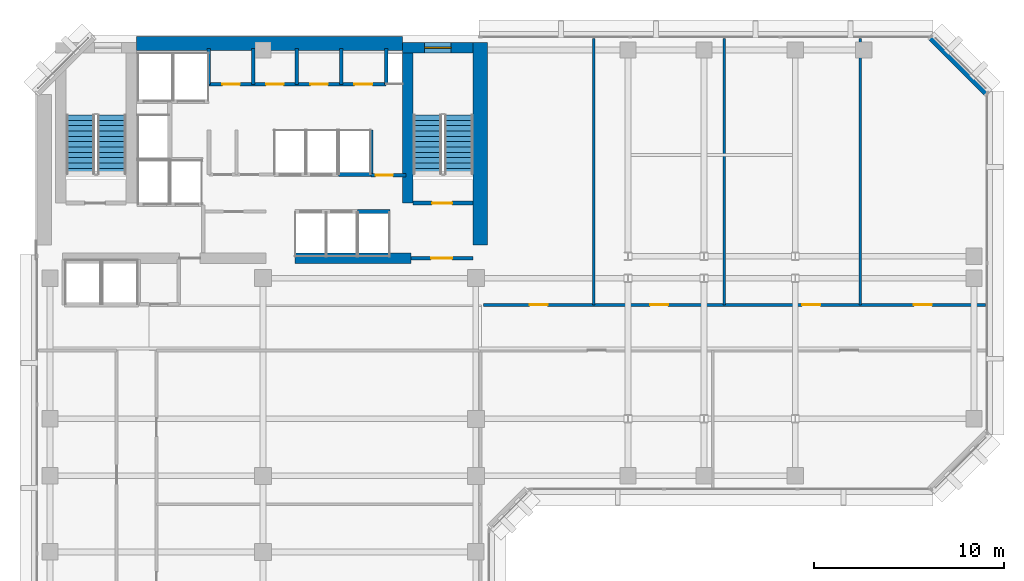
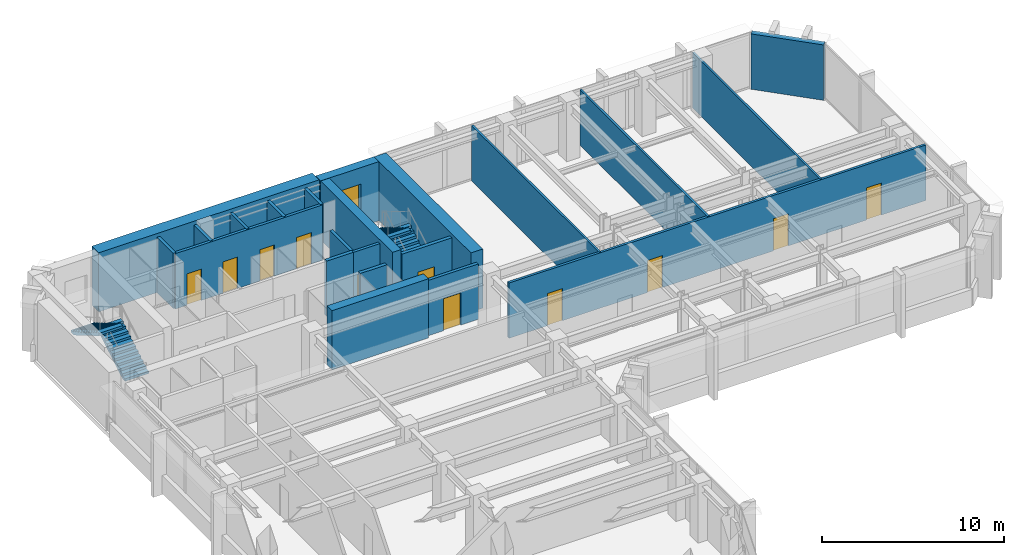
# One storey, part 8 of 11: 22 walls, 11 doors, 4 stair flights, 1 window, 12 openings, 2 elements without a shape of their own.
"""IFC4 building model written with IfcOpenShell, lengths in metres."""

from ifc_helpers import new_model, si_unit, direction, frame, frame_2d, origin, place, context, subcontext, project, spatial, polyline, rectangle, outline, extrude, material, layer, layer_set, type_object, element, fill, aggregate, save


model = new_model("IFC4")

# Units and contexts
model_context = context("Model", 3, precision=1e-05, world=origin(), true_north=direction((0.0, 1.0)))
body_context = subcontext(model_context, "Body", "Model", "MODEL_VIEW")
ifc_project = project(units=[si_unit("LENGTHUNIT", "METRE"), si_unit("AREAUNIT", "SQUARE_METRE"), si_unit("VOLUMEUNIT", "CUBIC_METRE"), si_unit("PLANEANGLEUNIT", "RADIAN"), si_unit("MASSUNIT", "GRAM", prefix="KILO")], contexts=[model_context])

# Site, building, storey
site_placement = place(None, origin())
site = spatial("IfcSite", under=ifc_project, at=site_placement, CompositionType="ELEMENT")
building_placement = place(site_placement, origin())
building = spatial("IfcBuilding", under=site, at=building_placement, Name="Kefirva Bronze Tower", CompositionType="ELEMENT")
storey_placement = place(building_placement, frame((0.0, 0.0, 134.969970703125)))
storey = spatial("IfcBuildingStorey", under=building, at=storey_placement, Name="L32", CompositionType="ELEMENT", Elevation=134.969970703125)

# Walls
ifc_material_1 = material(Name="Gypsum acoustic partition")
ifc_layer_1 = layer(ifc_material_1, 0.1298828125, Name="Gypsum acoustic partition")
ifc_layer_set_1 = layer_set([ifc_layer_1], Name="Gypsum acoustic partition")
wall_type_1 = type_object("IfcWallType", Name="Acoustic Office Partition 130mm", PredefinedType="PARTITIONING", material=ifc_layer_set_1)
for number, where, z_axis, x_axis, name in (
    (1, (29.41015625, 31.800048828125, 0.0), (0.0, 0.0, 1.0), (0.0, 1.0, 0.0), "L32 Partition W-L32-END1"),
    (2, (36.27685546875, 31.800048828125, 0.0), (0.0, 0.0, 1.0), (0.0, 1.0, 0.0), "L32 Partition W-L32-END2"),
    (3, (43.407470703125, 31.800048828125, 0.0), (0.0, 0.0, 1.0), (0.0, 1.0, 0.0), "L32 Partition W-L32-END3"),
):
    element("IfcWall", number, at=place(storey_placement, frame(where, z_axis=z_axis, x_axis=x_axis)), inside=storey, type_object=wall_type_1, Name=name, PredefinedType="PARTITIONING", context=body_context, shape_type="SweptSolid", body=[
        extrude(rectangle(XDim=14.010009765625, YDim=0.1298828125, at=frame_2d((7.0048828125, 0.0))), origin(), (0.0, 0.0, 1.0), 3.7099609375),
    ])

# Wall, opening, door
ifc_material_2 = material(Name="Gypsum fireboard shaftwall")
ifc_layer_2 = layer(ifc_material_2, 0.219970703125, Name="Gypsum fireboard shaftwall")
ifc_layer_set_2 = layer_set([ifc_layer_2], Name="Gypsum fireboard shaftwall")
wall_type_2 = type_object("IfcWallType", Name="Fire-Rated Shaft Enclosure Wall 220mm", PredefinedType="PARTITIONING", material=ifc_layer_set_2)
wall_1_placement = place(storey_placement, frame((19.89990234375, 37.14990234375, 0.0), z_axis=(0.0, 0.0, 1.0), x_axis=(1.0, 0.0, 0.0)))
wall_1 = element("IfcWall", 4, at=wall_1_placement, inside=storey, type_object=wall_type_2, Name="L32 Partition W-L32-ST2S", PredefinedType="PARTITIONING", context=body_context, shape_type="SweptSolid", body=[
    extrude(rectangle(XDim=3.150146484375, YDim=0.219970703125, at=frame_2d((1.5751953125, 0.0))), origin(), (0.0, 0.0, 1.0), 3.7099609375),
])
opening_1_placement = place(wall_1_placement, frame((2.050048828125, 0.0, 0.0), z_axis=(0.0, 0.0, 1.0), x_axis=(-1.0, 0.0, 0.0)))
opening_1 = element("IfcOpeningElement", 5, at=opening_1_placement, cuts=wall_1, Name="Opening L32-D003", PredefinedType="OPENING", context=body_context, shape_type="SweptSolid", body=[
    extrude(rectangle(XDim=1.050048828125, YDim=2.14990234375, at=frame_2d((0.52490234375, 1.074951171875))), frame((0.0, 0.1201171875, 0.0), z_axis=(0.0, -1.0, 0.0), x_axis=(1.0, 0.0, 0.0)), (0.0, 0.0, 1.0), 0.239990234375),
])
ifc_material_3 = material(Name="Painted galvanized steel", Category="steel")
door_type_1 = type_object("IfcDoorType", Name="Fire Stair Enclosure Door 1050x2150 FD90S", OperationType="NOTDEFINED", PredefinedType="DOOR", material=ifc_material_3)
door_1_placement = place(opening_1_placement, origin())
door_1 = element("IfcDoor", 6, at=door_1_placement, inside=storey, type_object=door_type_1, Name="Door L32-D003", OperationType="SINGLE_SWING_RIGHT", OverallHeight=2.14990234375, OverallWidth=1.050048828125, PredefinedType="DOOR", context=body_context, shape_type="SweptSolid", body=[
    extrude(rectangle(XDim=1.050048828125, YDim=2.14990234375, at=frame_2d((0.52490234375, 1.074951171875))), frame((0.0, 0.02490234375, 0.0), z_axis=(0.0, -1.0, 0.0), x_axis=(1.0, 0.0, 0.0)), (0.0, 0.0, 1.0), 0.050048828125),
])
fill(opening_1, door_1)

# Walls
wall_2_placement = place(storey_placement, frame((17.679931640625, 38.64990234375, 0.0), z_axis=(0.0, 0.0, 1.0), x_axis=(0.0, 1.0, 0.0)))
element("IfcWall", 7, at=wall_2_placement, inside=storey, type_object=wall_type_2, Name="L32 Partition W-L32-HP2E", PredefinedType="PARTITIONING", context=body_context, shape_type="SweptSolid", body=[
    extrude(rectangle(XDim=2.35009765625, YDim=0.199951171875, at=frame_2d((1.175048828125, 0.0))), origin(), (0.0, 0.0, 1.0), 3.7099609375),
])
wall_3_placement = place(storey_placement, frame((16.97998046875, 36.699951171875, 0.0), z_axis=(0.0, 0.0, 1.0), x_axis=(1.0, 0.0, 0.0)))
element("IfcWall", 8, at=wall_3_placement, inside=storey, type_object=wall_type_2, Name="L32 Partition W-L32-HPS", PredefinedType="PARTITIONING", context=body_context, shape_type="SweptSolid", body=[
    extrude(rectangle(XDim=1.699951171875, YDim=0.219970703125, at=frame_2d((0.85009765625, 0.0))), origin(), (0.0, 0.0, 1.0), 3.7099609375),
])
wall_4_placement = place(storey_placement, frame((15.97998046875, 38.64990234375, 0.0), z_axis=(0.0, 0.0, 1.0), x_axis=(1.0, 0.0, 0.0)))
element("IfcWall", 9, at=wall_4_placement, inside=storey, type_object=wall_type_2, Name="L32 Partition W-L32-HPN", PredefinedType="PARTITIONING", context=body_context, shape_type="SweptSolid", body=[
    extrude(rectangle(XDim=1.719970703125, YDim=0.219970703125, at=frame_2d((0.85986328125, 0.0))), origin(), (0.0, 0.0, 1.0), 3.7099609375),
])

# Wall, opening, door
ifc_material_4 = material(Name="Gypsum fireboard barrier")
ifc_layer_3 = layer(ifc_material_4, 0.199951171875, Name="Gypsum fireboard barrier")
ifc_layer_set_3 = layer_set([ifc_layer_3], Name="Gypsum fireboard barrier")
wall_type_3 = type_object("IfcWallType", Name="Firefighting Lobby Barrier Wall 200mm", PredefinedType="PARTITIONING", material=ifc_layer_set_3)
wall_5_placement = place(storey_placement, frame((19.800048828125, 34.25, 0.0), z_axis=(0.0, 0.0, 1.0), x_axis=(1.0, 0.0, 0.0)))
wall_5 = element("IfcWall", 10, at=wall_5_placement, inside=storey, type_object=wall_type_3, Name="L32 Partition W-L32-ST2F", PredefinedType="PARTITIONING", context=body_context, shape_type="SweptSolid", body=[
    extrude(rectangle(XDim=3.25, YDim=0.199951171875, at=frame_2d((1.625, 0.0))), origin(), (0.0, 0.0, 1.0), 3.7099609375),
])
opening_2_placement = place(wall_5_placement, frame((2.150146484375, 0.0, 0.0), z_axis=(0.0, 0.0, 1.0), x_axis=(-1.0, 0.0, 0.0)))
opening_2 = element("IfcOpeningElement", 11, at=opening_2_placement, cuts=wall_5, Name="Opening L32-D004", PredefinedType="OPENING", context=body_context, shape_type="SweptSolid", body=[
    extrude(rectangle(XDim=1.10009765625, YDim=2.14990234375, at=frame_2d((0.550048828125, 1.074951171875))), frame((0.0, 0.10986328125, 0.0), z_axis=(0.0, -1.0, 0.0), x_axis=(1.0, 0.0, 0.0)), (0.0, 0.0, 1.0), 0.219970703125),
])
door_type_2 = type_object("IfcDoorType", Name="Firefighting Lobby Smoke Door 1100x2150 FD60S", OperationType="NOTDEFINED", PredefinedType="DOOR", material=ifc_material_3)
door_2_placement = place(opening_2_placement, origin())
door_2 = element("IfcDoor", 12, at=door_2_placement, inside=storey, type_object=door_type_2, Name="Door L32-D004", OperationType="SINGLE_SWING_LEFT", OverallHeight=2.14990234375, OverallWidth=1.10009765625, PredefinedType="DOOR", context=body_context, shape_type="SweptSolid", body=[
    extrude(rectangle(XDim=1.10009765625, YDim=2.14990234375, at=frame_2d((0.550048828125, 1.074951171875))), frame((0.0, 0.02490234375, 0.0), z_axis=(0.0, -1.0, 0.0), x_axis=(1.0, 0.0, 0.0)), (0.0, 0.0, 1.0), 0.050048828125),
])
fill(opening_2, door_2)

wall_6_placement = place(storey_placement, frame((17.679931640625, 38.6201171875, 0.0), z_axis=(0.0, 0.0, 1.0), x_axis=(1.0, 0.0, 0.0)))
wall_6 = element("IfcWall", 13, at=wall_6_placement, inside=storey, type_object=wall_type_3, Name="L32 Partition W-L32-CPASS", PredefinedType="PARTITIONING", context=body_context, shape_type="SweptSolid", body=[
    extrude(rectangle(XDim=1.840087890625, YDim=0.179931640625, at=frame_2d((0.919921875, 0.0))), origin(), (0.0, 0.0, 1.0), 3.7099609375),
])
opening_3_placement = place(wall_6_placement, frame((0.239990234375, 0.0, 0.0)))
opening_3 = element("IfcOpeningElement", 14, at=opening_3_placement, cuts=wall_6, Name="Opening L32-D-CPAS", PredefinedType="OPENING", context=body_context, shape_type="SweptSolid", body=[
    extrude(rectangle(XDim=0.919921875, YDim=2.10009765625, at=frame_2d((0.4599609375, 1.050048828125))), frame((0.0, 0.10009765625, 0.0), z_axis=(0.0, -1.0, 0.0), x_axis=(1.0, 0.0, 0.0)), (0.0, 0.0, 1.0), 0.199951171875),
])
ifc_material_5 = material(Name="Moisture-resistant timber", Category="wood")
door_type_3 = type_object("IfcDoorType", Name="Accessible Sanitary & WC Door 920x2100", OperationType="NOTDEFINED", PredefinedType="DOOR", material=ifc_material_5)
door_3_placement = place(opening_3_placement, origin())
door_3 = element("IfcDoor", 15, at=door_3_placement, inside=storey, type_object=door_type_3, Name="Door L32-D-CPAS", OperationType="SINGLE_SWING_RIGHT", OverallHeight=2.10009765625, OverallWidth=0.919921875, PredefinedType="DOOR", context=body_context, shape_type="SweptSolid", body=[
    extrude(rectangle(XDim=0.919921875, YDim=2.10009765625, at=frame_2d((0.4599609375, 1.050048828125))), frame((0.0, 0.02490234375, 0.0), z_axis=(0.0, -1.0, 0.0), x_axis=(1.0, 0.0, 0.0)), (0.0, 0.0, 1.0), 0.050048828125),
])
fill(opening_3, door_3)

# Wall
ifc_material_6 = material(Name="Precast concrete C40/50", Category="concrete")
ifc_layer_4 = layer(ifc_material_6, 0.320068359375, Name="Precast concrete C40/50")
ifc_layer_set_4 = layer_set([ifc_layer_4], Name="Precast concrete C40/50")
wall_type_4 = type_object("IfcWallType", Name="Precast Insulated Exterior Wall 320mm", PredefinedType="SOLIDWALL", material=ifc_layer_set_4)
wall_7_placement = place(storey_placement, frame((50.048095703125, 42.92578125, 0.0), z_axis=(0.0, 0.0, 1.0), x_axis=(-0.707136318428, 0.707077242712, 0.0)))
element("IfcWall", 16, at=wall_7_placement, inside=storey, type_object=wall_type_4, Name="L32 Exterior Facade Wall 4", PredefinedType="SOLIDWALL", context=body_context, shape_type="SweptSolid", body=[
    extrude(rectangle(XDim=4.132568359375, YDim=0.320068359375, at=frame_2d((2.06640625, 0.0))), origin(), (0.0, 0.0, 1.0), 3.7099609375),
])

# Wall, openings, doors
ifc_layer_5 = layer(ifc_material_1, 0.159912109375, Name="Gypsum acoustic partition")
ifc_layer_set_5 = layer_set([ifc_layer_5], Name="Gypsum acoustic partition")
wall_type_5 = type_object("IfcWallType", Name="Protected Corridor Partition 160mm", PredefinedType="PARTITIONING", material=ifc_layer_set_5)
wall_8_placement = place(storey_placement, frame((23.60009765625, 31.800048828125, 0.0), z_axis=(0.0, 0.0, 1.0), x_axis=(1.0, 0.0, 0.0)))
wall_8 = element("IfcWall", 17, at=wall_8_placement, inside=storey, type_object=wall_type_5, Name="L32 Partition W-L32-EWN", PredefinedType="PARTITIONING", context=body_context, shape_type="SweptSolid", body=[
    extrude(rectangle(XDim=26.409912109375, YDim=0.159912109375, at=frame_2d((13.205078125, 0.0))), origin(), (0.0, 0.0, 1.0), 3.7099609375),
])
opening_4_placement = place(wall_8_placement, frame((2.43017578125, 0.0, 0.0)))
opening_4 = element("IfcOpeningElement", 18, at=opening_4_placement, cuts=wall_8, Name="Opening L32-D-EN1", PredefinedType="OPENING", context=body_context, shape_type="SweptSolid", body=[
    extrude(rectangle(XDim=0.949951171875, YDim=2.14990234375, at=frame_2d((0.47509765625, 1.074951171875))), frame((0.0, 0.08984375, 0.0), z_axis=(0.0, -1.0, 0.0), x_axis=(1.0, 0.0, 0.0)), (0.0, 0.0, 1.0), 0.179931640625),
])
opening_5_placement = place(wall_8_placement, frame((8.7685546875, 0.0, 0.0)))
opening_5 = element("IfcOpeningElement", 19, at=opening_5_placement, cuts=wall_8, Name="Opening L32-D-EN2", PredefinedType="OPENING", context=body_context, shape_type="SweptSolid", body=[
    extrude(rectangle(XDim=0.949951171875, YDim=2.14990234375, at=frame_2d((0.47509765625, 1.074951171875))), frame((0.0, 0.08984375, 0.0), z_axis=(0.0, -1.0, 0.0), x_axis=(1.0, 0.0, 0.0)), (0.0, 0.0, 1.0), 0.179931640625),
])
opening_6_placement = place(wall_8_placement, frame((16.76708984375, 0.0, 0.0)))
opening_6 = element("IfcOpeningElement", 20, at=opening_6_placement, cuts=wall_8, Name="Opening L32-D-EN3", PredefinedType="OPENING", context=body_context, shape_type="SweptSolid", body=[
    extrude(rectangle(XDim=0.949951171875, YDim=2.14990234375, at=frame_2d((0.47509765625, 1.074951171875))), frame((0.0, 0.08984375, 0.0), z_axis=(0.0, -1.0, 0.0), x_axis=(1.0, 0.0, 0.0)), (0.0, 0.0, 1.0), 0.179931640625),
])
opening_7_placement = place(wall_8_placement, frame((22.6337890625, 0.0, 0.0)))
opening_7 = element("IfcOpeningElement", 21, at=opening_7_placement, cuts=wall_8, Name="Opening L32-D-EN4", PredefinedType="OPENING", context=body_context, shape_type="SweptSolid", body=[
    extrude(rectangle(XDim=0.949951171875, YDim=2.14990234375, at=frame_2d((0.47509765625, 1.074951171875))), frame((0.0, 0.08984375, 0.0), z_axis=(0.0, -1.0, 0.0), x_axis=(1.0, 0.0, 0.0)), (0.0, 0.0, 1.0), 0.179931640625),
])
ifc_material_7 = material(Name="Acoustic hardwood oak", Category="wood")
door_type_4 = type_object("IfcDoorType", Name="Office & Meeting Room Door 950x2150", OperationType="NOTDEFINED", PredefinedType="DOOR", material=ifc_material_7)
door_4_placement = place(opening_4_placement, origin())
door_4 = element("IfcDoor", 22, at=door_4_placement, inside=storey, type_object=door_type_4, Name="Door L32-D-EN1", OperationType="SINGLE_SWING_LEFT", OverallHeight=2.14990234375, OverallWidth=0.949951171875, PredefinedType="DOOR", context=body_context, shape_type="SweptSolid", body=[
    extrude(rectangle(XDim=0.949951171875, YDim=2.14990234375, at=frame_2d((0.47509765625, 1.074951171875))), frame((0.0, 0.02490234375, 0.0), z_axis=(0.0, -1.0, 0.0), x_axis=(1.0, 0.0, 0.0)), (0.0, 0.0, 1.0), 0.050048828125),
])
fill(opening_4, door_4)
door_5_placement = place(opening_5_placement, origin())
door_5 = element("IfcDoor", 23, at=door_5_placement, inside=storey, type_object=door_type_4, Name="Door L32-D-EN2", OperationType="SINGLE_SWING_RIGHT", OverallHeight=2.14990234375, OverallWidth=0.949951171875, PredefinedType="DOOR", context=body_context, shape_type="SweptSolid", body=[
    extrude(rectangle(XDim=0.949951171875, YDim=2.14990234375, at=frame_2d((0.47509765625, 1.074951171875))), frame((0.0, 0.02490234375, 0.0), z_axis=(0.0, -1.0, 0.0), x_axis=(1.0, 0.0, 0.0)), (0.0, 0.0, 1.0), 0.050048828125),
])
fill(opening_5, door_5)
door_6_placement = place(opening_6_placement, origin())
door_6 = element("IfcDoor", 24, at=door_6_placement, inside=storey, type_object=door_type_4, Name="Door L32-D-EN3", OperationType="SINGLE_SWING_LEFT", OverallHeight=2.14990234375, OverallWidth=0.949951171875, PredefinedType="DOOR", context=body_context, shape_type="SweptSolid", body=[
    extrude(rectangle(XDim=0.949951171875, YDim=2.14990234375, at=frame_2d((0.47509765625, 1.074951171875))), frame((0.0, 0.02490234375, 0.0), z_axis=(0.0, -1.0, 0.0), x_axis=(1.0, 0.0, 0.0)), (0.0, 0.0, 1.0), 0.050048828125),
])
fill(opening_6, door_6)
door_7_placement = place(opening_7_placement, origin())
door_7 = element("IfcDoor", 25, at=door_7_placement, inside=storey, type_object=door_type_4, Name="Door L32-D-EN4", OperationType="SINGLE_SWING_RIGHT", OverallHeight=2.14990234375, OverallWidth=0.949951171875, PredefinedType="DOOR", context=body_context, shape_type="SweptSolid", body=[
    extrude(rectangle(XDim=0.949951171875, YDim=2.14990234375, at=frame_2d((0.47509765625, 1.074951171875))), frame((0.0, 0.02490234375, 0.0), z_axis=(0.0, -1.0, 0.0), x_axis=(1.0, 0.0, 0.0)), (0.0, 0.0, 1.0), 0.050048828125),
])
fill(opening_7, door_7)

# Wall, opening, window
ifc_material_8 = material(Name="Concrete C50/60", Category="concrete")
ifc_layer_6 = layer(ifc_material_8, 0.550048828125, Name="Concrete C50/60")
ifc_layer_set_6 = layer_set([ifc_layer_6], Name="Concrete C50/60")
wall_type_6 = type_object("IfcWallType", Name="RC Rear Core Exterior Wall 550mm", PredefinedType="SHEAR", material=ifc_layer_set_6)
wall_9_placement = place(storey_placement, frame((19.35009765625, 45.320068359375, 0.0), z_axis=(0.0, 0.0, 1.0), x_axis=(1.0, 0.0, 0.0)))
wall_9 = element("IfcWall", 26, at=wall_9_placement, inside=storey, type_object=wall_type_6, Name="L32 Stair 2 North Shear Wall", PredefinedType="SHEAR", context=body_context, shape_type="SweptSolid", body=[
    extrude(rectangle(XDim=3.68994140625, YDim=0.550048828125, at=frame_2d((1.844970703125, 0.0))), origin(), (0.0, 0.0, 1.0), 3.9599609375),
])
opening_8_placement = place(wall_9_placement, frame((1.14990234375, 0.0, 1.050048828125)))
opening_8 = element("IfcOpeningElement", 27, at=opening_8_placement, cuts=wall_9, Name="Opening WN-03", PredefinedType="OPENING", context=body_context, shape_type="SweptSolid", body=[
    extrude(rectangle(XDim=1.39990234375, YDim=1.800048828125, at=frame_2d((0.699951171875, 0.89990234375))), frame((0.0, 0.28515625, 0.0), z_axis=(0.0, -1.0, 0.0), x_axis=(1.0, 0.0, 0.0)), (0.0, 0.0, 1.0), 0.570068359375),
])
ifc_material_9 = material(Name="Laminated low-E double glazing", Category="glass")
window_type = type_object("IfcWindowType", Name="Rear-Core Stair Daylight Window 1400x1800", PartitioningType="SINGLE_PANEL", PredefinedType="WINDOW", material=ifc_material_9)
window_placement = place(opening_8_placement, origin())
window = element("IfcWindow", 28, at=window_placement, inside=storey, type_object=window_type, Name="L32 Stair 2 Daylight Window", OverallHeight=1.800048828125, OverallWidth=1.39990234375, PartitioningType="SINGLE_PANEL", PredefinedType="WINDOW", context=body_context, shape_type="SweptSolid", body=[
    extrude(rectangle(XDim=1.39990234375, YDim=1.800048828125, at=frame_2d((0.699951171875, 0.89990234375))), frame((0.0, 0.030029296875, 0.0), z_axis=(0.0, -1.0, 0.0), x_axis=(1.0, 0.0, 0.0)), (0.0, 0.0, 1.0), 0.06005859375),
])
fill(opening_8, window)

# Walls
ifc_material_10 = material(Name="Concrete C60/75", Category="concrete")
ifc_layer_7 = layer(ifc_material_10, 0.75, Name="Concrete C60/75")
ifc_layer_set_7 = layer_set([ifc_layer_7], Name="Concrete C60/75")
wall_type_7 = type_object("IfcWallType", Name="RC Rear Core Exterior Wall 750mm", PredefinedType="SHEAR", material=ifc_layer_set_7)
wall_10_placement = place(storey_placement, frame((5.360107421875, 45.550048828125, 0.0), z_axis=(0.0, 0.0, 1.0), x_axis=(1.0, 0.0, 0.0)))
element("IfcWall", 29, at=wall_10_placement, inside=storey, type_object=wall_type_7, Name="L32 Rear Core North Shear Wall", PredefinedType="SHEAR", context=body_context, shape_type="SweptSolid", body=[
    extrude(rectangle(XDim=13.97998046875, YDim=0.75, at=frame_2d((6.989990234375, 0.0))), origin(), (0.0, 0.0, 1.0), 3.9599609375),
])
ifc_layer_8 = layer(ifc_material_8, 0.550048828125, Name="Concrete C50/60")
ifc_layer_set_8 = layer_set([ifc_layer_8], Name="Concrete C50/60")
wall_type_8 = type_object("IfcWallType", Name="RC Rear Core Interior Wall 550mm", PredefinedType="SHEAR", material=ifc_layer_set_8)
wall_11_placement = place(storey_placement, frame((19.6201171875, 37.14990234375, 0.0), z_axis=(0.0, 0.0, 1.0), x_axis=(0.0, 1.0, 0.0)))
element("IfcWall", 30, at=wall_11_placement, inside=storey, type_object=wall_type_8, Name="L32 Stair 2 West Shear Wall", PredefinedType="SHEAR", context=body_context, shape_type="SweptSolid", body=[
    extrude(rectangle(XDim=7.89013671875, YDim=0.550048828125, at=frame_2d((3.945068359375, 0.0))), origin(), (0.0, 0.0, 1.0), 3.9599609375),
])
ifc_layer_9 = layer(ifc_material_10, 0.75, Name="Concrete C60/75")
ifc_layer_set_9 = layer_set([ifc_layer_9], Name="Concrete C60/75")
wall_type_9 = type_object("IfcWallType", Name="RC Rear Core Interior Wall 750mm", PredefinedType="SHEAR", material=ifc_layer_set_9)
wall_12_placement = place(storey_placement, frame((23.425048828125, 34.949951171875, 0.0), z_axis=(0.0, 0.0, 1.0), x_axis=(0.0, 1.0, 0.0)))
element("IfcWall", 31, at=wall_12_placement, inside=storey, type_object=wall_type_9, Name="L32 Rear Core East Shear Wall", PredefinedType="SHEAR", context=body_context, shape_type="SweptSolid", body=[
    extrude(rectangle(XDim=10.64013671875, YDim=0.75, at=frame_2d((5.320068359375, 0.0))), origin(), (0.0, 0.0, 1.0), 3.9599609375),
])
wall_13_placement = place(storey_placement, frame((13.679931640625, 34.25, 0.0), z_axis=(0.0, 0.0, 1.0), x_axis=(1.0, 0.0, 0.0)))
element("IfcWall", 32, at=wall_13_placement, inside=storey, type_object=wall_type_9, Name="L32 Rear Core South-East Shear Wall", PredefinedType="SHEAR", context=body_context, shape_type="SweptSolid", body=[
    extrude(rectangle(XDim=6.1201171875, YDim=0.550048828125, at=frame_2d((3.06005859375, 0.0))), origin(), (0.0, 0.0, 1.0), 3.9599609375),
])

# Wall, openings, doors
ifc_material_11 = material(Name="Moisture-resistant partition")
ifc_layer_10 = layer(ifc_material_11, 0.179931640625, Name="Moisture-resistant partition")
ifc_layer_set_10 = layer_set([ifc_layer_10], Name="Moisture-resistant partition")
wall_type_10 = type_object("IfcWallType", Name="Sanitary Plumbing Chase Wall 180mm", PredefinedType="PLUMBINGWALL", material=ifc_layer_set_10)
wall_14_placement = place(storey_placement, frame((9.14990234375, 43.39990234375, 0.0), z_axis=(0.0, 0.0, 1.0), x_axis=(1.0, 0.0, 0.0)))
wall_14 = element("IfcWall", 33, at=wall_14_placement, inside=storey, type_object=wall_type_10, Name="L32 Partition W-L32-SVCS", PredefinedType="PLUMBINGWALL", context=body_context, shape_type="SweptSolid", body=[
    extrude(rectangle(XDim=9.330078125, YDim=0.179931640625, at=frame_2d((4.6650390625, 0.0))), origin(), (0.0, 0.0, 1.0), 3.7099609375),
])
opening_9_placement = place(wall_14_placement, frame((0.719970703125, 0.0, 0.0)))
opening_9 = element("IfcOpeningElement", 34, at=opening_9_placement, cuts=wall_14, Name="Opening L32-D-CSVC1", PredefinedType="OPENING", context=body_context, shape_type="SweptSolid", body=[
    extrude(rectangle(XDim=0.919921875, YDim=2.10009765625, at=frame_2d((0.4599609375, 1.050048828125))), frame((0.0, 0.10009765625, 0.0), z_axis=(0.0, -1.0, 0.0), x_axis=(1.0, 0.0, 0.0)), (0.0, 0.0, 1.0), 0.199951171875),
])
opening_10_placement = place(wall_14_placement, frame((3.02001953125, 0.0, 0.0)))
opening_10 = element("IfcOpeningElement", 35, at=opening_10_placement, cuts=wall_14, Name="Opening L32-D-CSVC2", PredefinedType="OPENING", context=body_context, shape_type="SweptSolid", body=[
    extrude(rectangle(XDim=0.919921875, YDim=2.10009765625, at=frame_2d((0.4599609375, 1.050048828125))), frame((0.0, 0.10009765625, 0.0), z_axis=(0.0, -1.0, 0.0), x_axis=(1.0, 0.0, 0.0)), (0.0, 0.0, 1.0), 0.199951171875),
])
opening_11_placement = place(wall_14_placement, frame((5.340087890625, 0.0, 0.0)))
opening_11 = element("IfcOpeningElement", 36, at=opening_11_placement, cuts=wall_14, Name="Opening L32-D-CSVC3", PredefinedType="OPENING", context=body_context, shape_type="SweptSolid", body=[
    extrude(rectangle(XDim=0.919921875, YDim=2.10009765625, at=frame_2d((0.4599609375, 1.050048828125))), frame((0.0, 0.10009765625, 0.0), z_axis=(0.0, -1.0, 0.0), x_axis=(1.0, 0.0, 0.0)), (0.0, 0.0, 1.0), 0.199951171875),
])
opening_12_placement = place(wall_14_placement, frame((7.659912109375, 0.0, 0.0)))
opening_12 = element("IfcOpeningElement", 37, at=opening_12_placement, cuts=wall_14, Name="Opening L32-D-CSVC4", PredefinedType="OPENING", context=body_context, shape_type="SweptSolid", body=[
    extrude(rectangle(XDim=0.949951171875, YDim=2.10009765625, at=frame_2d((0.47509765625, 1.050048828125))), frame((0.0, 0.10009765625, 0.0), z_axis=(0.0, -1.0, 0.0), x_axis=(1.0, 0.0, 0.0)), (0.0, 0.0, 1.0), 0.199951171875),
])
door_8_placement = place(opening_9_placement, origin())
door_8 = element("IfcDoor", 38, at=door_8_placement, inside=storey, type_object=door_type_3, Name="Door L32-D-CSVC1", OperationType="SINGLE_SWING_LEFT", OverallHeight=2.10009765625, OverallWidth=0.919921875, PredefinedType="DOOR", context=body_context, shape_type="SweptSolid", body=[
    extrude(rectangle(XDim=0.919921875, YDim=2.10009765625, at=frame_2d((0.4599609375, 1.050048828125))), frame((0.0, 0.02490234375, 0.0), z_axis=(0.0, -1.0, 0.0), x_axis=(1.0, 0.0, 0.0)), (0.0, 0.0, 1.0), 0.050048828125),
])
fill(opening_9, door_8)
door_9_placement = place(opening_10_placement, origin())
door_9 = element("IfcDoor", 39, at=door_9_placement, inside=storey, type_object=door_type_3, Name="Door L32-D-CSVC2", OperationType="SINGLE_SWING_RIGHT", OverallHeight=2.10009765625, OverallWidth=0.919921875, PredefinedType="DOOR", context=body_context, shape_type="SweptSolid", body=[
    extrude(rectangle(XDim=0.919921875, YDim=2.10009765625, at=frame_2d((0.4599609375, 1.050048828125))), frame((0.0, 0.02490234375, 0.0), z_axis=(0.0, -1.0, 0.0), x_axis=(1.0, 0.0, 0.0)), (0.0, 0.0, 1.0), 0.050048828125),
])
fill(opening_10, door_9)
door_10_placement = place(opening_11_placement, origin())
door_10 = element("IfcDoor", 40, at=door_10_placement, inside=storey, type_object=door_type_3, Name="Door L32-D-CSVC3", OperationType="SINGLE_SWING_LEFT", OverallHeight=2.10009765625, OverallWidth=0.919921875, PredefinedType="DOOR", context=body_context, shape_type="SweptSolid", body=[
    extrude(rectangle(XDim=0.919921875, YDim=2.10009765625, at=frame_2d((0.4599609375, 1.050048828125))), frame((0.0, 0.02490234375, 0.0), z_axis=(0.0, -1.0, 0.0), x_axis=(1.0, 0.0, 0.0)), (0.0, 0.0, 1.0), 0.050048828125),
])
fill(opening_11, door_10)
door_type_5 = type_object("IfcDoorType", Name="Riser & Plant Shaft Fire Door 950x2100 FD60S", OperationType="NOTDEFINED", PredefinedType="DOOR", material=ifc_material_3)
door_11_placement = place(opening_12_placement, origin())
door_11 = element("IfcDoor", 41, at=door_11_placement, inside=storey, type_object=door_type_5, Name="Door L32-D-CSVC4", OperationType="SINGLE_SWING_RIGHT", OverallHeight=2.10009765625, OverallWidth=0.949951171875, PredefinedType="DOOR", context=body_context, shape_type="SweptSolid", body=[
    extrude(rectangle(XDim=0.949951171875, YDim=2.10009765625, at=frame_2d((0.47509765625, 1.050048828125))), frame((0.0, 0.02490234375, 0.0), z_axis=(0.0, -1.0, 0.0), x_axis=(1.0, 0.0, 0.0)), (0.0, 0.0, 1.0), 0.050048828125),
])
fill(opening_12, door_11)

# Walls
for number, where, z_axis, x_axis, name in (
    (42, (9.14990234375, 43.39990234375, 0.0), (0.0, 0.0, 1.0), (0.0, 1.0, 0.0), "L32 Partition W-L32-SVCW"),
    (43, (18.47998046875, 43.39990234375, 0.0), (0.0, 0.0, 1.0), (0.0, 1.0, 0.0), "L32 Partition W-L32-SVCE"),
    (44, (11.47998046875, 43.39990234375, 0.0), (0.0, 0.0, 1.0), (0.0, 1.0, 0.0), "L32 Partition W-L32-CSVD-1"),
    (45, (13.780029296875, 43.39990234375, 0.0), (0.0, 0.0, 1.0), (0.0, 1.0, 0.0), "L32 Partition W-L32-CSVD-2"),
    (46, (16.1201171875, 43.39990234375, 0.0), (0.0, 0.0, 1.0), (0.0, 1.0, 0.0), "L32 Partition W-L32-CSVD-3"),
):
    element("IfcWall", number, at=place(storey_placement, frame(where, z_axis=z_axis, x_axis=x_axis)), inside=storey, type_object=wall_type_10, Name=name, PredefinedType="PLUMBINGWALL", context=body_context, shape_type="SweptSolid", body=[
        extrude(rectangle(XDim=1.880126953125, YDim=0.179931640625, at=frame_2d((0.93994140625, 0.0))), origin(), (0.0, 0.0, 1.0), 3.7099609375),
    ])

# Stair, stair flights
ifc_material_12 = material(Name="Concrete C40/50", Category="concrete")
stair_type = type_object("IfcStairType", Name="RC Dogleg Protected Stair 24R", PredefinedType="HALF_TURN_STAIR", material=ifc_material_12)
stair_1_placement = place(storey_placement, origin())
stair_1 = element("IfcStair", 47, at=stair_1_placement, inside=storey, type_object=stair_type, Name="L32 Protected Exit Stair 1", PredefinedType="HALF_TURN_STAIR")
stair_flight_type = type_object("IfcStairFlightType", Name="RC Straight Stair Flight 24R", PredefinedType="STRAIGHT", material=ifc_material_12)
stair_flight_1_placement = place(storey_placement, frame((4.050048828125, 38.699951171875, 0.0), z_axis=(0.0, 0.0, 1.0), x_axis=(0.0, 1.0, 0.0)))
stair_flight_1 = element("IfcStairFlight", 48, at=stair_flight_1_placement, type_object=stair_flight_type, Name="ST-1 flight 1", NumberOfRisers=12, NumberOfTreads=11, PredefinedType="STRAIGHT", RiserHeight=0.165, TreadLength=0.28, context=body_context, shape_type="SweptSolid", body=[
    extrude(outline(polyline([(0.0, 0.0), (0.0, 0.1650390625), (0.280029296875, 0.1650390625), (0.280029296875, 0.330078125), (0.56005859375, 0.330078125), (0.56005859375, 0.4951171875), (0.840087890625, 0.4951171875), (0.840087890625, 0.659912109375), (1.1201171875, 0.659912109375), (1.1201171875, 0.824951171875), (1.39990234375, 0.824951171875), (1.39990234375, 0.989990234375), (1.679931640625, 0.989990234375), (1.679931640625, 1.155029296875), (1.9599609375, 1.155029296875), (1.9599609375, 1.320068359375), (2.239990234375, 1.320068359375), (2.239990234375, 1.485107421875), (2.52001953125, 1.485107421875), (2.52001953125, 1.64990234375), (2.800048828125, 1.64990234375), (2.800048828125, 1.81494140625), (3.080078125, 1.81494140625), (3.080078125, 1.97998046875), (3.080078125, 1.64111328125), (0.295166015625, 0.0), (0.0, 0.0)])), frame((0.0, 0.75, 0.0), z_axis=(0.0, -1.0, 0.0), x_axis=(1.0, 0.0, 0.0)), (0.0, 0.0, 1.0), 1.5),
])
stair_flight_2_placement = place(storey_placement, frame((2.39990234375, 41.780029296875, 1.97998046875), z_axis=(0.0, 0.0, 1.0), x_axis=(0.0, -1.0, 0.0)))
stair_flight_2 = element("IfcStairFlight", 49, at=stair_flight_2_placement, type_object=stair_flight_type, Name="ST-1 flight 2", NumberOfRisers=12, NumberOfTreads=11, PredefinedType="STRAIGHT", RiserHeight=0.165, TreadLength=0.28, context=body_context, shape_type="SweptSolid", body=[
    extrude(outline(polyline([(0.0, 0.0), (0.0, 0.1650390625), (0.280029296875, 0.1650390625), (0.280029296875, 0.330078125), (0.56005859375, 0.330078125), (0.56005859375, 0.4951171875), (0.840087890625, 0.4951171875), (0.840087890625, 0.659912109375), (1.1201171875, 0.659912109375), (1.1201171875, 0.824951171875), (1.39990234375, 0.824951171875), (1.39990234375, 0.989990234375), (1.679931640625, 0.989990234375), (1.679931640625, 1.155029296875), (1.9599609375, 1.155029296875), (1.9599609375, 1.320068359375), (2.239990234375, 1.320068359375), (2.239990234375, 1.485107421875), (2.52001953125, 1.485107421875), (2.52001953125, 1.64990234375), (2.800048828125, 1.64990234375), (2.800048828125, 1.81494140625), (3.080078125, 1.81494140625), (3.080078125, 1.97998046875), (3.080078125, 1.64111328125), (0.295166015625, 0.0), (0.0, 0.0)])), frame((0.0, 0.75, 0.0), z_axis=(0.0, -1.0, 0.0), x_axis=(1.0, 0.0, 0.0)), (0.0, 0.0, 1.0), 1.5),
])
aggregate(stair_1, [stair_flight_1, stair_flight_2])

stair_2_placement = place(storey_placement, origin())
stair_2 = element("IfcStair", 50, at=stair_2_placement, inside=storey, type_object=stair_type, Name="L32 Protected Exit Stair 2", PredefinedType="HALF_TURN_STAIR")
stair_flight_3_placement = place(storey_placement, frame((22.300048828125, 38.699951171875, 0.0), z_axis=(0.0, 0.0, 1.0), x_axis=(0.0, 1.0, 0.0)))
stair_flight_3 = element("IfcStairFlight", 51, at=stair_flight_3_placement, type_object=stair_flight_type, Name="ST-2 flight 1", NumberOfRisers=12, NumberOfTreads=11, PredefinedType="STRAIGHT", RiserHeight=0.165, TreadLength=0.28, context=body_context, shape_type="SweptSolid", body=[
    extrude(outline(polyline([(0.0, 0.0), (0.0, 0.1650390625), (0.280029296875, 0.1650390625), (0.280029296875, 0.330078125), (0.56005859375, 0.330078125), (0.56005859375, 0.4951171875), (0.840087890625, 0.4951171875), (0.840087890625, 0.659912109375), (1.1201171875, 0.659912109375), (1.1201171875, 0.824951171875), (1.39990234375, 0.824951171875), (1.39990234375, 0.989990234375), (1.679931640625, 0.989990234375), (1.679931640625, 1.155029296875), (1.9599609375, 1.155029296875), (1.9599609375, 1.320068359375), (2.239990234375, 1.320068359375), (2.239990234375, 1.485107421875), (2.52001953125, 1.485107421875), (2.52001953125, 1.64990234375), (2.800048828125, 1.64990234375), (2.800048828125, 1.81494140625), (3.080078125, 1.81494140625), (3.080078125, 1.97998046875), (3.080078125, 1.64111328125), (0.295166015625, 0.0), (0.0, 0.0)])), frame((0.0, 0.75, 0.0), z_axis=(0.0, -1.0, 0.0), x_axis=(1.0, 0.0, 0.0)), (0.0, 0.0, 1.0), 1.5),
])
stair_flight_4_placement = place(storey_placement, frame((20.64990234375, 41.780029296875, 1.97998046875), z_axis=(0.0, 0.0, 1.0), x_axis=(0.0, -1.0, 0.0)))
stair_flight_4 = element("IfcStairFlight", 52, at=stair_flight_4_placement, type_object=stair_flight_type, Name="ST-2 flight 2", NumberOfRisers=12, NumberOfTreads=11, PredefinedType="STRAIGHT", RiserHeight=0.165, TreadLength=0.28, context=body_context, shape_type="SweptSolid", body=[
    extrude(outline(polyline([(0.0, 0.0), (0.0, 0.1650390625), (0.280029296875, 0.1650390625), (0.280029296875, 0.330078125), (0.56005859375, 0.330078125), (0.56005859375, 0.4951171875), (0.840087890625, 0.4951171875), (0.840087890625, 0.659912109375), (1.1201171875, 0.659912109375), (1.1201171875, 0.824951171875), (1.39990234375, 0.824951171875), (1.39990234375, 0.989990234375), (1.679931640625, 0.989990234375), (1.679931640625, 1.155029296875), (1.9599609375, 1.155029296875), (1.9599609375, 1.320068359375), (2.239990234375, 1.320068359375), (2.239990234375, 1.485107421875), (2.52001953125, 1.485107421875), (2.52001953125, 1.64990234375), (2.800048828125, 1.64990234375), (2.800048828125, 1.81494140625), (3.080078125, 1.81494140625), (3.080078125, 1.97998046875), (3.080078125, 1.64111328125), (0.295166015625, 0.0), (0.0, 0.0)])), frame((0.0, 0.75, 0.0), z_axis=(0.0, -1.0, 0.0), x_axis=(1.0, 0.0, 0.0)), (0.0, 0.0, 1.0), 1.5),
])
aggregate(stair_2, [stair_flight_3, stair_flight_4])

save(model, "model.ifc")
